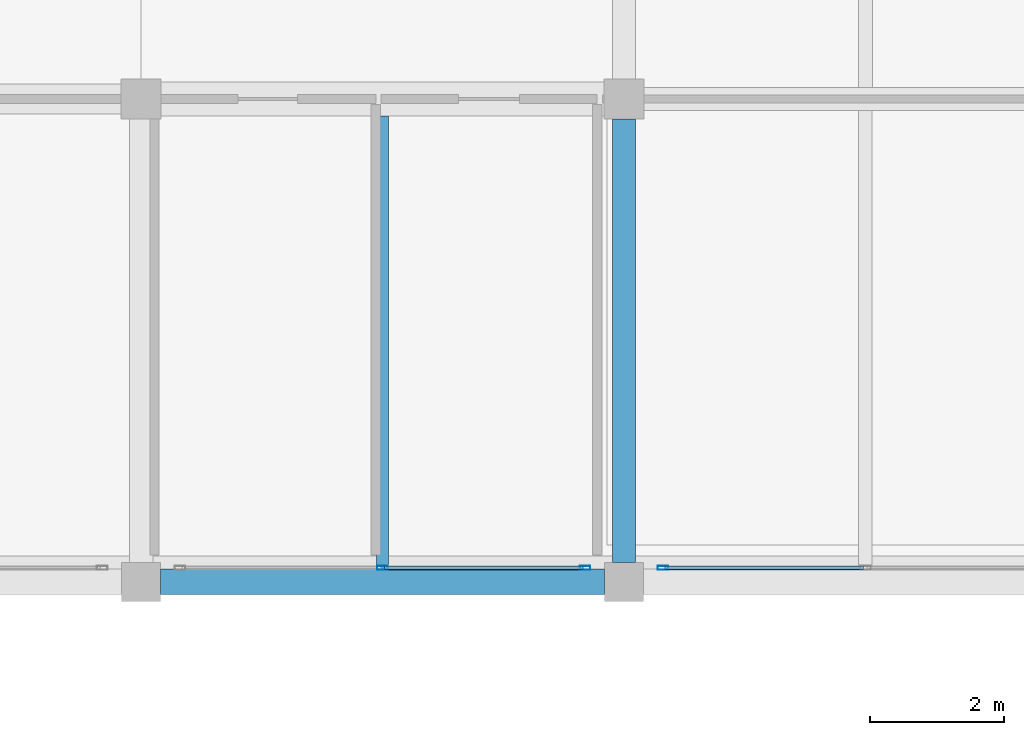
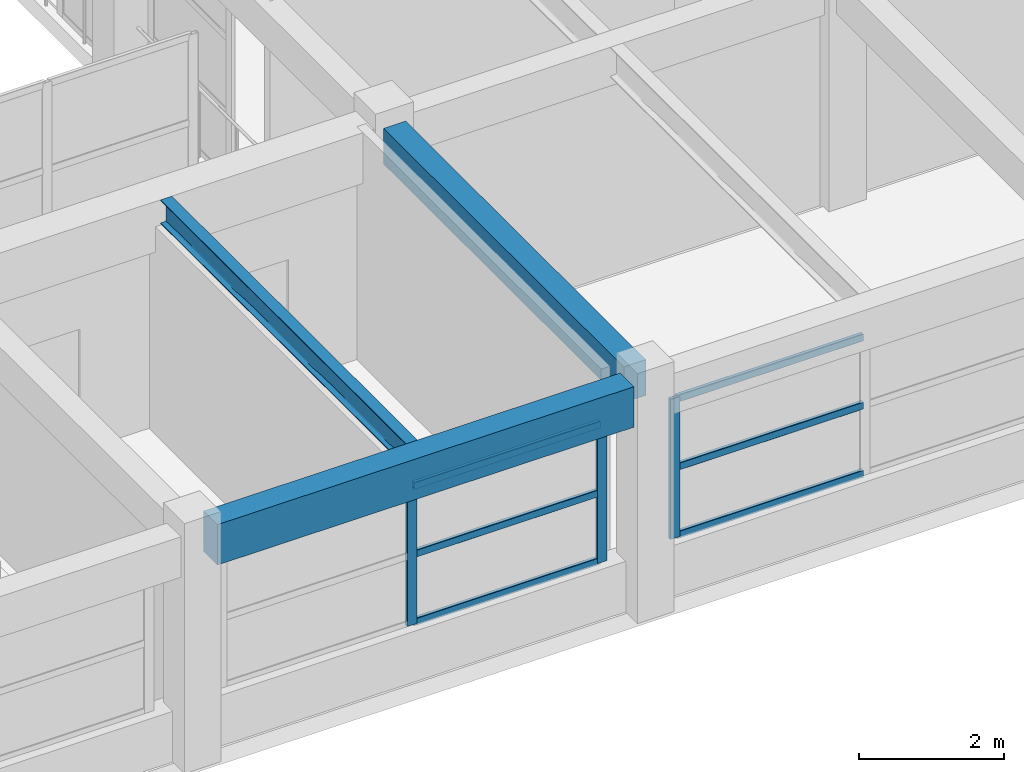
# One storey, part 11 of 49: 9 members, 3 beams, 2 elements without a shape of their own.
"""IFC4 building model written with IfcOpenShell, lengths in metres."""

from ifc_helpers import new_model, si_unit, direction, frame, origin, origin_2d, place, context, subcontext, project, spatial, rectangle, hollow_rectangle, i_section, extrude, material, material_profile, profile_set, type_object, element, aggregate, save


model = new_model("IFC4")

# Units and contexts
model_context = context("Model", 3, precision=1e-05, world=origin(), true_north=direction((0.0, 1.0)))
body_context = subcontext(model_context, "Body", "Model", "MODEL_VIEW")
ifc_project = project(units=[si_unit("LENGTHUNIT", "METRE"), si_unit("AREAUNIT", "SQUARE_METRE"), si_unit("VOLUMEUNIT", "CUBIC_METRE"), si_unit("PLANEANGLEUNIT", "RADIAN"), si_unit("MASSUNIT", "GRAM", prefix="KILO")], contexts=[model_context])

# Site, building, storey
site_placement = place(None, origin())
site = spatial("IfcSite", under=ifc_project, at=site_placement, CompositionType="ELEMENT")
building_placement = place(site_placement, origin())
building = spatial("IfcBuilding", under=site, at=building_placement, Name="Bramveld Media Centre", CompositionType="ELEMENT")
storey_placement = place(building_placement, frame((0.0, 0.0, 9.60009765625)))
storey = spatial("IfcBuildingStorey", under=building, at=storey_placement, Name="L02", CompositionType="ELEMENT", Elevation=9.60009765625)

# Beam
ifc_material_1 = material(Name="Concrete C40/50", Category="concrete")
ifc_material_profile_1 = material_profile(ifc_material_1, rectangle(XDim=0.35009765625, YDim=0.60009765625, at=origin_2d()), Name="RC 350x600")
ifc_profile_set_1 = profile_set([ifc_material_profile_1], Name="Concrete C40/50")
beam_type_1 = type_object("IfcBeamType", Name="BM-INT-RC-350x600", PredefinedType="BEAM", material=ifc_profile_set_1)
beam_1_placement = place(storey_placement, frame((94.39990234375, 90.68994140625, 3.619873046875), z_axis=(0.0, 1.0, 0.0), x_axis=(-1.0, 0.0, 0.0)))
element("IfcBeam", 1, at=beam_1_placement, inside=storey, type_object=beam_type_1, Name="V6 L02 girder Y-1104", PredefinedType="BEAM", context=body_context, shape_type="SweptSolid", body=[
    extrude(rectangle(XDim=0.35009765625, YDim=0.60009765625, at=origin_2d()), origin(), (0.0, 0.0, 1.0), 6.610107421875),
])

# Curtain wall, members
ifc_material_2 = material(Name="Thermally broken anodized bronze aluminium unitized curtain wall with solar-control triple glazing", Category="aluminium")
curtain_wall_type = type_object("IfcCurtainWallType", Name="CW-FACV6-6100x2350", PredefinedType="NOTDEFINED", material=ifc_material_2)
curtain_wall_1_placement = place(storey_placement, origin())
curtain_wall_1 = element("IfcCurtainWall", 2, at=curtain_wall_1_placement, inside=storey, type_object=curtain_wall_type, Name="V6 L02 S curtain wall bay 4", PredefinedType="NOTDEFINED")
ifc_material_3 = material(Name="Thermally broken anodized bronze aluminium EN AW-6063 T6 curtain-wall framing", Category="aluminium")
ifc_material_profile_2 = material_profile(ifc_material_3, hollow_rectangle(XDim=0.06005859375, YDim=0.159912109375, WallThickness=0.00390625, InnerFilletRadius=0.00390625, OuterFilletRadius=0.008056640625, at=origin_2d()), Name="AL-MULL 60x160")
ifc_profile_set_2 = profile_set([ifc_material_profile_2], Name="Thermally broken anodized bronze aluminium EN AW-6063 T6 curtain-wall framing")
member_type_1 = type_object("IfcMemberType", Name="CW-MULL-EXT", PredefinedType="MULLION", material=ifc_profile_set_2)
member_1_placement = place(storey_placement, frame((90.800048828125, 90.610107421875, 0.849853515625), z_axis=(0.0, 0.0, 1.0), x_axis=(0.0, 1.0, 0.0)))
member_1 = element("IfcMember", 3, at=member_1_placement, type_object=member_type_1, Name="CW-FA-6123 mullion 2", PredefinedType="MULLION", context=body_context, shape_type="SweptSolid", body=[
    extrude(hollow_rectangle(XDim=0.06005859375, YDim=0.159912109375, WallThickness=0.00390625, InnerFilletRadius=0.00390625, OuterFilletRadius=0.008056640625, at=origin_2d()), origin(), (0.0, 0.0, 1.0), 2.35009765625),
])
member_2_placement = place(storey_placement, frame((93.820068359375, 90.610107421875, 0.849853515625), z_axis=(0.0, 0.0, 1.0), x_axis=(0.0, 1.0, 0.0)))
member_2 = element("IfcMember", 4, at=member_2_placement, type_object=member_type_1, Name="CW-FA-6123 mullion 3", PredefinedType="MULLION", context=body_context, shape_type="SweptSolid", body=[
    extrude(hollow_rectangle(XDim=0.06005859375, YDim=0.159912109375, WallThickness=0.00390625, InnerFilletRadius=0.00390625, OuterFilletRadius=0.008056640625, at=origin_2d()), origin(), (0.0, 0.0, 1.0), 2.35009765625),
])

# Curtain wall, member
curtain_wall_2_placement = place(storey_placement, origin())
curtain_wall_2 = element("IfcCurtainWall", 5, at=curtain_wall_2_placement, inside=storey, type_object=curtain_wall_type, Name="V6 L02 S curtain wall bay 5", PredefinedType="NOTDEFINED")
member_3_placement = place(storey_placement, frame((94.97998046875, 90.610107421875, 0.849853515625), z_axis=(0.0, 0.0, 1.0), x_axis=(0.0, 1.0, 0.0)))
member_3 = element("IfcMember", 6, at=member_3_placement, type_object=member_type_1, Name="CW-FA-6123 mullion 1", PredefinedType="MULLION", context=body_context, shape_type="SweptSolid", body=[
    extrude(hollow_rectangle(XDim=0.06005859375, YDim=0.159912109375, WallThickness=0.00390625, InnerFilletRadius=0.00390625, OuterFilletRadius=0.008056640625, at=origin_2d()), origin(), (0.0, 0.0, 1.0), 2.35009765625),
])

# Member
ifc_material_4 = material(Name="Thermally broken anodized bronze aluminium EN AW-6063 T6 curtain-wall framing", Category="aluminium")
ifc_material_profile_3 = material_profile(ifc_material_4, hollow_rectangle(XDim=0.06005859375, YDim=0.1201171875, WallThickness=0.00341796875, InnerFilletRadius=0.00341796875, OuterFilletRadius=0.007080078125, at=origin_2d()), Name="AL-TRAN 60x120")
ifc_profile_set_3 = profile_set([ifc_material_profile_3], Name="Thermally broken anodized bronze aluminium EN AW-6063 T6 curtain-wall framing")
member_type_2 = type_object("IfcMemberType", Name="CW-TRAN-EXT", PredefinedType="USERDEFINED", material=ifc_profile_set_3)
member_4_placement = place(storey_placement, frame((90.830078125, 90.610107421875, 0.8798828125), z_axis=(1.0, 0.0, 0.0), x_axis=(0.0, 1.0, 0.0)))
member_4 = element("IfcMember", 7, at=member_4_placement, type_object=member_type_2, Name="CW-FA-6123 transom 2.1", ObjectType="TRANSOM", PredefinedType="USERDEFINED", context=body_context, shape_type="SweptSolid", body=[
    extrude(hollow_rectangle(XDim=0.06005859375, YDim=0.1201171875, WallThickness=0.00341796875, InnerFilletRadius=0.00341796875, OuterFilletRadius=0.007080078125, at=origin_2d()), origin(), (0.0, 0.0, 1.0), 2.9599609375),
])

member_5_placement = place(storey_placement, frame((90.830078125, 90.610107421875, 2.02490234375), z_axis=(1.0, 0.0, 0.0), x_axis=(0.0, 1.0, 0.0)))
member_5 = element("IfcMember", 8, at=member_5_placement, type_object=member_type_2, Name="CW-FA-6123 transom 2.2", ObjectType="TRANSOM", PredefinedType="USERDEFINED", context=body_context, shape_type="SweptSolid", body=[
    extrude(hollow_rectangle(XDim=0.06005859375, YDim=0.1201171875, WallThickness=0.00341796875, InnerFilletRadius=0.00341796875, OuterFilletRadius=0.007080078125, at=origin_2d()), origin(), (0.0, 0.0, 1.0), 2.9599609375),
])

member_6_placement = place(storey_placement, frame((90.830078125, 90.610107421875, 3.169921875), z_axis=(1.0, 0.0, 0.0), x_axis=(0.0, 1.0, 0.0)))
member_6 = element("IfcMember", 9, at=member_6_placement, type_object=member_type_2, Name="CW-FA-6123 transom 2.3", ObjectType="TRANSOM", PredefinedType="USERDEFINED", context=body_context, shape_type="SweptSolid", body=[
    extrude(hollow_rectangle(XDim=0.06005859375, YDim=0.1201171875, WallThickness=0.00341796875, InnerFilletRadius=0.00341796875, OuterFilletRadius=0.007080078125, at=origin_2d()), origin(), (0.0, 0.0, 1.0), 2.9599609375),
])

aggregate(curtain_wall_1, [member_1, member_2, member_4, member_5, member_6])

member_7_placement = place(storey_placement, frame((95.010009765625, 90.610107421875, 0.8798828125), z_axis=(1.0, 0.0, 0.0), x_axis=(0.0, 1.0, 0.0)))
member_7 = element("IfcMember", 10, at=member_7_placement, type_object=member_type_2, Name="CW-FA-6123 transom 1.1", ObjectType="TRANSOM", PredefinedType="USERDEFINED", context=body_context, shape_type="SweptSolid", body=[
    extrude(hollow_rectangle(XDim=0.06005859375, YDim=0.1201171875, WallThickness=0.00341796875, InnerFilletRadius=0.00341796875, OuterFilletRadius=0.007080078125, at=origin_2d()), origin(), (0.0, 0.0, 1.0), 2.9599609375),
])

member_8_placement = place(storey_placement, frame((95.010009765625, 90.610107421875, 2.02490234375), z_axis=(1.0, 0.0, 0.0), x_axis=(0.0, 1.0, 0.0)))
member_8 = element("IfcMember", 11, at=member_8_placement, type_object=member_type_2, Name="CW-FA-6123 transom 1.2", ObjectType="TRANSOM", PredefinedType="USERDEFINED", context=body_context, shape_type="SweptSolid", body=[
    extrude(hollow_rectangle(XDim=0.06005859375, YDim=0.1201171875, WallThickness=0.00341796875, InnerFilletRadius=0.00341796875, OuterFilletRadius=0.007080078125, at=origin_2d()), origin(), (0.0, 0.0, 1.0), 2.9599609375),
])

member_9_placement = place(storey_placement, frame((95.010009765625, 90.610107421875, 3.169921875), z_axis=(1.0, 0.0, 0.0), x_axis=(0.0, 1.0, 0.0)))
member_9 = element("IfcMember", 12, at=member_9_placement, type_object=member_type_2, Name="CW-FA-6123 transom 1.3", ObjectType="TRANSOM", PredefinedType="USERDEFINED", context=body_context, shape_type="SweptSolid", body=[
    extrude(hollow_rectangle(XDim=0.06005859375, YDim=0.1201171875, WallThickness=0.00341796875, InnerFilletRadius=0.00341796875, OuterFilletRadius=0.007080078125, at=origin_2d()), origin(), (0.0, 0.0, 1.0), 2.9599609375),
])

aggregate(curtain_wall_2, [member_3, member_7, member_8, member_9])

# Beams
ifc_material_5 = material(Name="Steel S355J2", Category="steel")
ifc_material_profile_4 = material_profile(ifc_material_5, i_section(OverallWidth=0.179931640625, OverallDepth=0.39990234375, WebThickness=0.008544921875, FlangeThickness=0.013427734375, FilletRadius=0.02099609375, at=origin_2d()), Name="IPE 400")
ifc_profile_set_4 = profile_set([ifc_material_profile_4], Name="Steel S355J2")
beam_type_2 = type_object("IfcBeamType", Name="SBM-INT-IPE-400", PredefinedType="JOIST", material=ifc_profile_set_4)
beam_2_placement = place(storey_placement, frame((90.800048828125, 90.590087890625, 3.719970703125), z_axis=(0.0, 1.0, 0.0), x_axis=(-1.0, 0.0, 0.0)))
element("IfcBeam", 13, at=beam_2_placement, inside=storey, type_object=beam_type_2, Name="V6 L02 secondary floor joist 1124", PredefinedType="JOIST", context=body_context, shape_type="SweptSolid", body=[
    extrude(i_section(OverallWidth=0.179931640625, OverallDepth=0.39990234375, WebThickness=0.008544921875, FlangeThickness=0.013427734375, FilletRadius=0.02099609375, at=origin_2d()), origin(), (0.0, 0.0, 1.0), 6.760009765625),
])
ifc_material_6 = material(Name="Concrete C40/50", Category="concrete")
ifc_material_profile_5 = material_profile(ifc_material_6, rectangle(XDim=0.3798828125, YDim=0.679931640625, at=origin_2d()), Name="RC 380x680")
ifc_profile_set_5 = profile_set([ifc_material_profile_5], Name="Concrete C40/50")
beam_type_3 = type_object("IfcBeamType", Name="SPANDREL-EXT-RC-380x680", PredefinedType="SPANDREL", material=ifc_profile_set_5)
beam_3_placement = place(storey_placement, frame((87.489990234375, 90.39990234375, 3.579833984375), z_axis=(1.0, 0.0, 0.0), x_axis=(0.0, 1.0, 0.0)))
element("IfcBeam", 14, at=beam_3_placement, inside=storey, type_object=beam_type_3, Name="V6 L02 girder X-1067", PredefinedType="SPANDREL", context=body_context, shape_type="SweptSolid", body=[
    extrude(rectangle(XDim=0.3798828125, YDim=0.679931640625, at=origin_2d()), origin(), (0.0, 0.0, 1.0), 6.6201171875),
])

save(model, "model.ifc")
